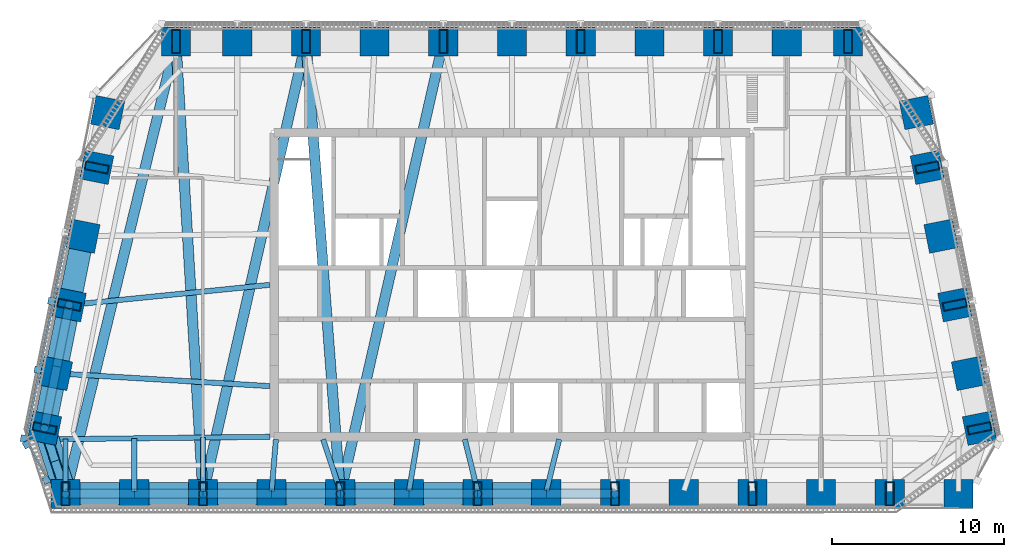
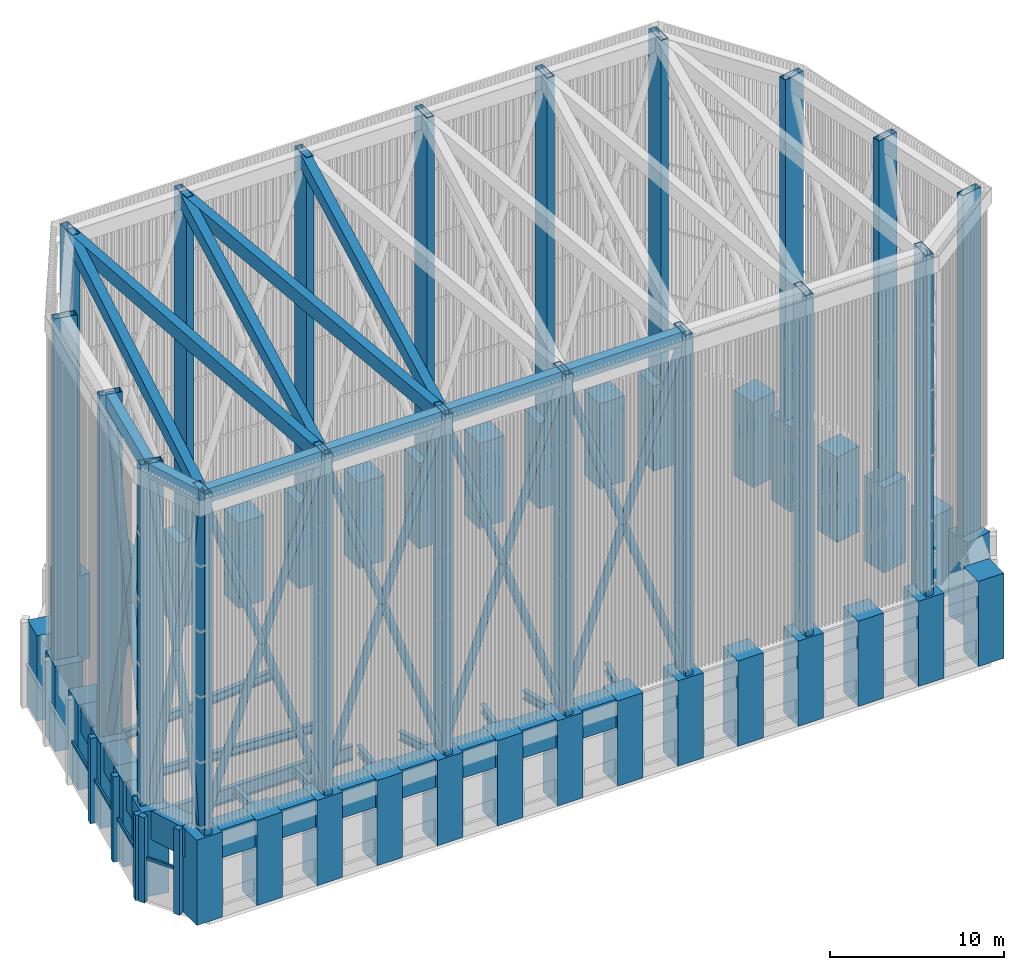
# One storey, part 1 of 15: 56 columns, 32 members, 22 beams, 2 elements without a shape of their own.
"""IFC4 building model written with IfcOpenShell, lengths in metres."""

from ifc_helpers import new_model, si_unit, direction, frame, origin, origin_2d, place, context, subcontext, project, spatial, rectangle, hollow_rectangle, hollow_circle, i_section, extrude, material, material_profile, profile_set, type_object, element, aggregate, save


model = new_model("IFC4")

# Units and contexts
model_context = context("Model", 3, precision=1e-05, world=origin(), true_north=direction((0.0, 1.0)))
body_context = subcontext(model_context, "Body", "Model", "MODEL_VIEW")
ifc_project = project(units=[si_unit("LENGTHUNIT", "METRE"), si_unit("AREAUNIT", "SQUARE_METRE"), si_unit("VOLUMEUNIT", "CUBIC_METRE"), si_unit("PLANEANGLEUNIT", "RADIAN"), si_unit("MASSUNIT", "GRAM", prefix="KILO")], contexts=[model_context])

# Site, building, storey
site_placement = place(None, origin())
site = spatial("IfcSite", under=ifc_project, at=site_placement, CompositionType="ELEMENT")
building_placement = place(site_placement, origin())
building = spatial("IfcBuilding", under=site, at=building_placement, Name="Isbrekke Arena Tower", CompositionType="ELEMENT")
storey_placement = place(building_placement, frame((0.0, 0.0, 324.0)))
storey = spatial("IfcBuildingStorey", under=building, at=storey_placement, Name="L76", CompositionType="ELEMENT", Elevation=324.0)

# Columns
ifc_material_1 = material(Name="Concrete B55 (C55/67)", Category="concrete")
ifc_material_profile_1 = material_profile(ifc_material_1, rectangle(XDim=1.699951171875, YDim=1.699951171875, at=origin_2d()), Name="RC 1700x1700")
ifc_profile_set_1 = profile_set([ifc_material_profile_1], Name="Concrete B55 (C55/67)")
column_type_1 = type_object("IfcColumnType", Name="C5 RC 1700 x 1700", PredefinedType="COLUMN", material=ifc_profile_set_1)
for number, where, z_axis, x_axis, name in (
    (1, (-26.0, 2.824951171875, 0.0), (0.0, 0.0, 1.0), (1.0, 0.0, 0.0), "C5 S01"),
    (2, (-22.0, 2.824951171875, 0.0), (0.0, 0.0, 1.0), (1.0, 0.0, 0.0), "C5 S02"),
    (3, (-18.0, 2.824951171875, 0.0), (0.0, 0.0, 1.0), (1.0, 0.0, 0.0), "C5 S03"),
    (4, (-14.0, 2.824951171875, 0.0), (0.0, 0.0, 1.0), (1.0, 0.0, 0.0), "C5 S04"),
    (5, (-10.0, 2.824951171875, 0.0), (0.0, 0.0, 1.0), (1.0, 0.0, 0.0), "C5 S05"),
    (6, (-6.0, 2.824951171875, 0.0), (0.0, 0.0, 1.0), (1.0, 0.0, 0.0), "C5 S06"),
    (7, (-2.0, 2.824951171875, 0.0), (0.0, 0.0, 1.0), (1.0, 0.0, 0.0), "C5 S07"),
    (8, (2.0, 2.824951171875, 0.0), (0.0, 0.0, 1.0), (1.0, 0.0, 0.0), "C5 S08"),
    (9, (6.0, 2.824951171875, 0.0), (0.0, 0.0, 1.0), (1.0, 0.0, 0.0), "C5 S09"),
    (10, (10.0, 2.824951171875, 0.0), (0.0, 0.0, 1.0), (1.0, 0.0, 0.0), "C5 S10"),
    (11, (14.0, 2.824951171875, 0.0), (0.0, 0.0, 1.0), (1.0, 0.0, 0.0), "C5 S11"),
    (12, (18.0, 2.824951171875, 0.0), (0.0, 0.0, 1.0), (1.0, 0.0, 0.0), "C5 S12"),
    (13, (22.0, 2.824951171875, 0.0), (0.0, 0.0, 1.0), (1.0, 0.0, 0.0), "C5 S13"),
    (14, (26.0, 2.824951171875, 0.0), (0.0, 0.0, 1.0), (1.0, 0.0, 0.0), "C5 S14"),
    (15, (27.229248046875, 6.647216796875, 0.0), (0.0, 0.0, 1.0), (-0.196116135138, 0.980580675691, 0.0), "C5 E01"),
    (16, (26.591064453125, 9.838134765625, 0.0), (0.0, 0.0, 1.0), (-0.196116135138, 0.980580675691, 0.0), "C5 E02"),
    (17, (25.791015625, 13.838134765625, 0.0), (0.0, 0.0, 1.0), (-0.196116135138, 0.980580675691, 0.0), "C5 E03"),
    (18, (24.990966796875, 17.838134765625, 0.0), (0.0, 0.0, 1.0), (-0.196116135138, 0.980580675691, 0.0), "C5 E04"),
    (19, (24.19091796875, 21.838134765625, 0.0), (0.0, 0.0, 1.0), (-0.196116135138, 0.980580675691, 0.0), "C5 E05"),
    (20, (23.552734375, 25.029296875, 0.0), (0.0, 0.0, 1.0), (-0.196116135138, 0.980580675691, 0.0), "C5 E06"),
    (21, (19.574951171875, 29.175048828125, 0.0), (0.0, 0.0, 1.0), (-1.0, 0.0, 0.0), "C5 N01"),
    (22, (16.0, 29.175048828125, 0.0), (0.0, 0.0, 1.0), (-1.0, 0.0, 0.0), "C5 N02"),
    (23, (12.0, 29.175048828125, 0.0), (0.0, 0.0, 1.0), (-1.0, 0.0, 0.0), "C5 N03"),
    (24, (8.0, 29.175048828125, 0.0), (0.0, 0.0, 1.0), (-1.0, 0.0, 0.0), "C5 N04"),
    (25, (4.0, 29.175048828125, 0.0), (0.0, 0.0, 1.0), (-1.0, 0.0, 0.0), "C5 N05"),
    (26, (0.0, 29.175048828125, 0.0), (0.0, 0.0, 1.0), (-1.0, 0.0, 0.0), "C5 N06"),
    (27, (-4.0, 29.175048828125, 0.0), (0.0, 0.0, 1.0), (-1.0, 0.0, 0.0), "C5 N07"),
    (28, (-8.0, 29.175048828125, 0.0), (0.0, 0.0, 1.0), (-1.0, 0.0, 0.0), "C5 N08"),
    (29, (-12.0, 29.175048828125, 0.0), (0.0, 0.0, 1.0), (-1.0, 0.0, 0.0), "C5 N09"),
    (30, (-16.0, 29.175048828125, 0.0), (0.0, 0.0, 1.0), (-1.0, 0.0, 0.0), "C5 N10"),
    (31, (-19.574951171875, 29.175048828125, 0.0), (0.0, 0.0, 1.0), (-1.0, 0.0, 0.0), "C5 N11"),
    (32, (-23.552734375, 25.029296875, 0.0), (0.0, 0.0, 1.0), (-0.196116135138, -0.980580675691, 0.0), "C5 W01"),
    (33, (-24.19091796875, 21.838134765625, 0.0), (0.0, 0.0, 1.0), (-0.196116135138, -0.980580675691, 0.0), "C5 W02"),
    (34, (-24.990966796875, 17.838134765625, 0.0), (0.0, 0.0, 1.0), (-0.196116135138, -0.980580675691, 0.0), "C5 W03"),
    (35, (-25.791015625, 13.838134765625, 0.0), (0.0, 0.0, 1.0), (-0.196116135138, -0.980580675691, 0.0), "C5 W04"),
    (36, (-26.591064453125, 9.838134765625, 0.0), (0.0, 0.0, 1.0), (-0.196116135138, -0.980580675691, 0.0), "C5 W05"),
    (37, (-27.229248046875, 6.647216796875, 0.0), (0.0, 0.0, 1.0), (-0.196116135138, -0.980580675691, 0.0), "C5 W06"),
):
    element("IfcColumn", number, at=place(storey_placement, frame(where, z_axis=z_axis, x_axis=x_axis)), inside=storey, type_object=column_type_1, Name=name, PredefinedType="COLUMN", context=body_context, shape_type="SweptSolid", body=[
        extrude(rectangle(XDim=1.699951171875, YDim=1.699951171875, at=origin_2d()), origin(), (0.0, 0.0, 1.0), 6.0),
    ])
ifc_material_2 = material(Name="Steel S355", Category="steel")
ifc_material_profile_2 = material_profile(ifc_material_2, hollow_rectangle(XDim=0.5, YDim=1.39990234375, WallThickness=0.0400390625, at=origin_2d()), Name="BOX 500x1400x40")
ifc_profile_set_2 = profile_set([ifc_material_profile_2], Name="Steel S355")
column_type_2 = type_object("IfcColumnType", Name="CF1 CROWN FRAME BLADE BOX 500x1400x40", PredefinedType="COLUMN", material=ifc_profile_set_2)
for number, where, z_axis, x_axis, name in (
    (38, (-26.0, 2.824951171875, 6.0), (0.0, 0.0, 1.0), (1.0, 0.0, 0.0), "CF1 crown frame blade S01"),
    (39, (-18.0, 2.824951171875, 6.0), (0.0, 0.0, 1.0), (1.0, 0.0, 0.0), "CF1 crown frame blade S03"),
    (40, (-10.0, 2.824951171875, 6.0), (0.0, 0.0, 1.0), (1.0, 0.0, 0.0), "CF1 crown frame blade S05"),
    (41, (-2.0, 2.824951171875, 6.0), (0.0, 0.0, 1.0), (1.0, 0.0, 0.0), "CF1 crown frame blade S07"),
    (42, (6.0, 2.824951171875, 6.0), (0.0, 0.0, 1.0), (1.0, 0.0, 0.0), "CF1 crown frame blade S09"),
    (43, (14.0, 2.824951171875, 6.0), (0.0, 0.0, 1.0), (1.0, 0.0, 0.0), "CF1 crown frame blade S11"),
    (44, (22.0, 2.824951171875, 6.0), (0.0, 0.0, 1.0), (1.0, 0.0, 0.0), "CF1 crown frame blade S13"),
    (45, (27.229248046875, 6.647216796875, 6.0), (0.0, 0.0, 1.0), (-0.196116135138, 0.980580675691, 0.0), "CF1 crown frame blade E01"),
    (46, (25.791015625, 13.838134765625, 6.0), (0.0, 0.0, 1.0), (-0.196116135138, 0.980580675691, 0.0), "CF1 crown frame blade E03"),
    (47, (24.19091796875, 21.838134765625, 6.0), (0.0, 0.0, 1.0), (-0.196116135138, 0.980580675691, 0.0), "CF1 crown frame blade E05"),
    (48, (19.574951171875, 29.175048828125, 6.0), (0.0, 0.0, 1.0), (-1.0, 0.0, 0.0), "CF1 crown frame blade N01"),
    (49, (12.0, 29.175048828125, 6.0), (0.0, 0.0, 1.0), (-1.0, 0.0, 0.0), "CF1 crown frame blade N03"),
    (50, (4.0, 29.175048828125, 6.0), (0.0, 0.0, 1.0), (-1.0, 0.0, 0.0), "CF1 crown frame blade N05"),
    (51, (-4.0, 29.175048828125, 6.0), (0.0, 0.0, 1.0), (-1.0, 0.0, 0.0), "CF1 crown frame blade N07"),
    (52, (-12.0, 29.175048828125, 6.0), (0.0, 0.0, 1.0), (-1.0, 0.0, 0.0), "CF1 crown frame blade N09"),
    (53, (-19.574951171875, 29.175048828125, 6.0), (0.0, 0.0, 1.0), (-1.0, 0.0, 0.0), "CF1 crown frame blade N11"),
    (54, (-24.19091796875, 21.838134765625, 6.0), (0.0, 0.0, 1.0), (-0.196116135138, -0.980580675691, 0.0), "CF1 crown frame blade W02"),
    (55, (-25.791015625, 13.838134765625, 6.0), (0.0, 0.0, 1.0), (-0.196116135138, -0.980580675691, 0.0), "CF1 crown frame blade W04"),
    (56, (-27.229248046875, 6.647216796875, 6.0), (0.0, 0.0, 1.0), (-0.196116135138, -0.980580675691, 0.0), "CF1 crown frame blade W06"),
):
    element("IfcColumn", number, at=place(storey_placement, frame(where, z_axis=z_axis, x_axis=x_axis)), inside=storey, type_object=column_type_2, Name=name, PredefinedType="COLUMN", context=body_context, shape_type="SweptSolid", body=[
        extrude(hollow_rectangle(XDim=0.5, YDim=1.39990234375, WallThickness=0.0400390625, at=origin_2d()), origin(), (0.0, 0.0, 1.0), 24.0),
    ])

# Beams
ifc_material_3 = material(Name="Steel S355", Category="steel")
ifc_material_profile_3 = material_profile(ifc_material_3, i_section(OverallWidth=0.304931640625, OverallDepth=0.6201171875, WebThickness=0.02099609375, FlangeThickness=0.0400390625, FilletRadius=0.027099609375, at=origin_2d()), Name="HEM 600")
ifc_profile_set_3 = profile_set([ifc_material_profile_3], Name="Steel S355")
beam_type_1 = type_object("IfcBeamType", Name="B4 HEM 600", PredefinedType="BEAM", material=ifc_profile_set_3)
beam_1_placement = place(storey_placement, frame((-26.0, 2.97509765625, 5.43994140625), z_axis=(0.0, 1.0, 0.0), x_axis=(-1.0, 0.0, 0.0)))
element("IfcBeam", 57, at=beam_1_placement, inside=storey, type_object=beam_type_1, Name="B4 beam C-S01 L76", PredefinedType="BEAM", context=body_context, shape_type="SweptSolid", body=[
    extrude(i_section(OverallWidth=0.304931640625, OverallDepth=0.6201171875, WebThickness=0.02099609375, FlangeThickness=0.0400390625, FilletRadius=0.027099609375, at=origin_2d()), origin(), (0.0, 0.0, 1.0), 3.0390625),
])
beam_2_placement = place(storey_placement, frame((-22.0, 2.97509765625, 5.43994140625), z_axis=(0.0, 1.0, 0.0), x_axis=(-1.0, 0.0, 0.0)))
element("IfcBeam", 58, at=beam_2_placement, inside=storey, type_object=beam_type_1, Name="B4 beam C-S02 L76", PredefinedType="BEAM", context=body_context, shape_type="SweptSolid", body=[
    extrude(i_section(OverallWidth=0.304931640625, OverallDepth=0.6201171875, WebThickness=0.02099609375, FlangeThickness=0.0400390625, FilletRadius=0.027099609375, at=origin_2d()), origin(), (0.0, 0.0, 1.0), 3.084716796875),
])
beam_3_placement = place(storey_placement, frame((-18.0, 2.97509765625, 5.43994140625), z_axis=(0.0, 1.0, 0.0), x_axis=(-1.0, 0.0, 0.0)))
element("IfcBeam", 59, at=beam_3_placement, inside=storey, type_object=beam_type_1, Name="B4 beam C-S03 L76", PredefinedType="BEAM", context=body_context, shape_type="SweptSolid", body=[
    extrude(i_section(OverallWidth=0.304931640625, OverallDepth=0.6201171875, WebThickness=0.02099609375, FlangeThickness=0.0400390625, FilletRadius=0.027099609375, at=origin_2d()), origin(), (0.0, 0.0, 1.0), 3.13037109375),
])
beam_4_placement = place(storey_placement, frame((-13.9990234375, 2.987548828125, 5.43994140625), z_axis=(0.082383718089, 0.996600683822, 0.0), x_axis=(-0.996600683822, 0.082383718089, 0.0)))
element("IfcBeam", 60, at=beam_4_placement, inside=storey, type_object=beam_type_1, Name="B4 beam C-S04 L76", PredefinedType="BEAM", context=body_context, shape_type="SweptSolid", body=[
    extrude(i_section(OverallWidth=0.304931640625, OverallDepth=0.6201171875, WebThickness=0.02099609375, FlangeThickness=0.0400390625, FilletRadius=0.027099609375, at=origin_2d()), origin(), (0.0, 0.0, 1.0), 3.022705078125),
])
beam_5_placement = place(storey_placement, frame((-10.01513671875, 3.0205078125, 5.43994140625), z_axis=(-0.313846083605, 0.949473873156, 0.0), x_axis=(-0.949473873156, -0.313846083605, 0.0)))
element("IfcBeam", 61, at=beam_5_placement, inside=storey, type_object=beam_type_1, Name="B4 beam C-S05 L76", PredefinedType="BEAM", context=body_context, shape_type="SweptSolid", body=[
    extrude(i_section(OverallWidth=0.304931640625, OverallDepth=0.6201171875, WebThickness=0.02099609375, FlangeThickness=0.0400390625, FilletRadius=0.027099609375, at=origin_2d()), origin(), (0.0, 0.0, 1.0), 3.137939453125),
])
beam_6_placement = place(storey_placement, frame((-5.995849609375, 2.99951171875, 5.43994140625), z_axis=(0.163044952053, 0.986618641426, 0.0), x_axis=(-0.986618641426, 0.163044952053, 0.0)))
element("IfcBeam", 62, at=beam_6_placement, inside=storey, type_object=beam_type_1, Name="B4 beam C-S06 L76", PredefinedType="BEAM", context=body_context, shape_type="SweptSolid", body=[
    extrude(i_section(OverallWidth=0.304931640625, OverallDepth=0.6201171875, WebThickness=0.02099609375, FlangeThickness=0.0400390625, FilletRadius=0.027099609375, at=origin_2d()), origin(), (0.0, 0.0, 1.0), 3.041259765625),
])
for number, where, z_axis, x_axis, name in (
    (63, (-2.0087890625, 3.0107421875, 5.43994140625), (-0.240669951999, 0.970607013268, 0.0), (-0.970607013268, -0.240669951999, 0.0), "B4 beam C-S07 L76"),
    (64, (2.0087890625, 3.0107421875, 5.43994140625), (0.240669951999, 0.970607013268, 0.0), (-0.970607013268, 0.240669951999, 0.0), "B4 beam C-S08 L76"),
):
    element("IfcBeam", number, at=place(storey_placement, frame(where, z_axis=z_axis, x_axis=x_axis)), inside=storey, type_object=beam_type_1, Name=name, PredefinedType="BEAM", context=body_context, shape_type="SweptSolid", body=[
        extrude(i_section(OverallWidth=0.304931640625, OverallDepth=0.6201171875, WebThickness=0.02099609375, FlangeThickness=0.0400390625, FilletRadius=0.027099609375, at=origin_2d()), origin(), (0.0, 0.0, 1.0), 3.079833984375),
    ])
beam_7_placement = place(storey_placement, frame((-25.625732421875, 13.83984375, 5.43994140625), z_axis=(0.994972081505, 0.100152668587, 0.0), x_axis=(-0.100152668587, 0.994972081505, 0.0)))
element("IfcBeam", 65, at=beam_7_placement, inside=storey, type_object=beam_type_1, Name="B4 beam E-W04 L76", PredefinedType="BEAM", context=body_context, shape_type="SweptSolid", body=[
    extrude(i_section(OverallWidth=0.304931640625, OverallDepth=0.6201171875, WebThickness=0.02099609375, FlangeThickness=0.0400390625, FilletRadius=0.027099609375, at=origin_2d()), origin(), (0.0, 0.0, 1.0), 11.583984375),
])
beam_8_placement = place(storey_placement, frame((-26.431884765625, 9.837646484375, 5.43994140625), z_axis=(0.998216240514, -0.059702070095, 0.0), x_axis=(0.059702070095, 0.998216240514, 0.0)))
element("IfcBeam", 66, at=beam_8_placement, inside=storey, type_object=beam_type_1, Name="B4 beam E-W05 L76", PredefinedType="BEAM", context=body_context, shape_type="SweptSolid", body=[
    extrude(i_section(OverallWidth=0.304931640625, OverallDepth=0.6201171875, WebThickness=0.02099609375, FlangeThickness=0.0400390625, FilletRadius=0.027099609375, at=origin_2d()), origin(), (0.0, 0.0, 1.0), 12.353759765625),
])

# Members
ifc_material_4 = material(Name="Steel S355", Category="steel")
ifc_material_profile_4 = material_profile(ifc_material_4, hollow_rectangle(XDim=0.60009765625, YDim=1.0, WallThickness=0.030029296875, at=origin_2d()), Name="BOX 600x1000x30")
ifc_profile_set_4 = profile_set([ifc_material_profile_4], Name="Steel S355")
member_type_1 = type_object("IfcMemberType", Name="CF2 CROWN FRAME CAP RING BOX 600x1000x30", PredefinedType="USERDEFINED", material=ifc_profile_set_4)
for number, where, z_axis, x_axis, name in (
    (67, (-26.0, 2.824951171875, 29.5), (1.0, 0.0, 0.0), (0.0, 1.0, 0.0), "CF2 crown frame cap ring S01"),
    (68, (-18.0, 2.824951171875, 29.5), (1.0, 0.0, 0.0), (0.0, 1.0, 0.0), "CF2 crown frame cap ring S03"),
    (69, (-10.0, 2.824951171875, 29.5), (1.0, 0.0, 0.0), (0.0, 1.0, 0.0), "CF2 crown frame cap ring S05"),
    (70, (-2.0, 2.824951171875, 29.5), (1.0, 0.0, 0.0), (0.0, 1.0, 0.0), "CF2 crown frame cap ring S07"),
):
    element("IfcMember", number, at=place(storey_placement, frame(where, z_axis=z_axis, x_axis=x_axis)), inside=storey, type_object=member_type_1, Name=name, ObjectType="CROWN FRAME CAP RING", PredefinedType="USERDEFINED", context=body_context, shape_type="SweptSolid", body=[
        extrude(hollow_rectangle(XDim=0.60009765625, YDim=1.0, WallThickness=0.030029296875, at=origin_2d()), origin(), (0.0, 0.0, 1.0), 8.0),
    ])
member_1_placement = place(storey_placement, frame((-25.791015625, 13.838134765625, 29.5), z_axis=(-0.196122537421, -0.980579395213, 0.0), x_axis=(0.980579395213, -0.196122537421, 0.0)))
element("IfcMember", 71, at=member_1_placement, inside=storey, type_object=member_type_1, Name="CF2 crown frame cap ring W04", ObjectType="CROWN FRAME CAP RING", PredefinedType="USERDEFINED", context=body_context, shape_type="SweptSolid", body=[
    extrude(hollow_rectangle(XDim=0.60009765625, YDim=1.0, WallThickness=0.030029296875, at=origin_2d()), origin(), (0.0, 0.0, 1.0), 7.333251953125),
])
member_2_placement = place(storey_placement, frame((-27.229248046875, 6.647216796875, 29.5), z_axis=(0.306158766697, -0.951980467013, 0.0), x_axis=(0.951980467013, 0.306158766697, 0.0)))
element("IfcMember", 72, at=member_2_placement, inside=storey, type_object=member_type_1, Name="CF2 crown frame cap ring W06", ObjectType="CROWN FRAME CAP RING", PredefinedType="USERDEFINED", context=body_context, shape_type="SweptSolid", body=[
    extrude(hollow_rectangle(XDim=0.60009765625, YDim=1.0, WallThickness=0.030029296875, at=origin_2d()), origin(), (0.0, 0.0, 1.0), 4.01513671875),
])
ifc_material_5 = material(Name="Steel S355", Category="steel")
ifc_material_profile_5 = material_profile(ifc_material_5, hollow_circle(Radius=0.25390625, WallThickness=0.02001953125, at=origin_2d()), Name="CHS 508x20")
ifc_profile_set_5 = profile_set([ifc_material_profile_5], Name="Steel S355")
member_type_2 = type_object("IfcMemberType", Name="CF3 CROWN FRAME BRACE CHS 508x20", PredefinedType="BRACE", material=ifc_profile_set_5)
for number, where, z_axis, x_axis, name in (
    (73, (-26.0, 2.824951171875, 6.0), (0.322263797804, 0.0, 0.94664990605), (0.0, 1.0, 0.0), "CF3 crown frame brace S01 1"),
    (74, (-18.0, 2.824951171875, 6.0), (-0.322263797804, 0.0, 0.94664990605), (0.0, -1.0, 0.0), "CF3 crown frame brace S01 2"),
    (75, (-18.0, 2.824951171875, 6.0), (0.322263797804, 0.0, 0.94664990605), (0.0, 1.0, 0.0), "CF3 crown frame brace S03 1"),
    (76, (-10.0, 2.824951171875, 6.0), (-0.322263797804, 0.0, 0.94664990605), (0.0, -1.0, 0.0), "CF3 crown frame brace S03 2"),
    (77, (-10.0, 2.824951171875, 6.0), (0.322263797804, 0.0, 0.94664990605), (0.0, 1.0, 0.0), "CF3 crown frame brace S05 1"),
    (78, (-2.0, 2.824951171875, 6.0), (-0.322263797804, 0.0, 0.94664990605), (0.0, -1.0, 0.0), "CF3 crown frame brace S05 2"),
    (79, (-2.0, 2.824951171875, 6.0), (0.322263797804, 0.0, 0.94664990605), (0.0, 1.0, 0.0), "CF3 crown frame brace S07 1"),
    (80, (6.0, 2.824951171875, 6.0), (-0.322263797804, 0.0, 0.94664990605), (0.0, -1.0, 0.0), "CF3 crown frame brace S07 2"),
):
    element("IfcMember", number, at=place(storey_placement, frame(where, z_axis=z_axis, x_axis=x_axis)), inside=storey, type_object=member_type_2, Name=name, PredefinedType="BRACE", context=body_context, shape_type="SweptSolid", body=[
        extrude(hollow_circle(Radius=0.25390625, WallThickness=0.02001953125, at=origin_2d()), origin(), (0.0, 0.0, 1.0), 24.824462890625),
    ])
for number, where, z_axis, x_axis, name in (
    (81, (-25.791015625, 13.838134765625, 6.0), (-0.058422857725, -0.292104371316, 0.954600338337), (0.980579395213, -0.196122537421, 0.0), "CF3 crown frame brace W04 1"),
    (82, (-27.229248046875, 6.647216796875, 6.0), (0.058422857725, 0.292104371316, 0.954600338337), (-0.980579395213, 0.196122537421, 0.0), "CF3 crown frame brace W04 2"),
):
    element("IfcMember", number, at=place(storey_placement, frame(where, z_axis=z_axis, x_axis=x_axis)), inside=storey, type_object=member_type_2, Name=name, PredefinedType="BRACE", context=body_context, shape_type="SweptSolid", body=[
        extrude(hollow_circle(Radius=0.25390625, WallThickness=0.02001953125, at=origin_2d()), origin(), (0.0, 0.0, 1.0), 24.61767578125),
    ])
for number, where, z_axis, x_axis, name in (
    (83, (-27.229248046875, 6.647216796875, 6.0), (0.051561276568, -0.160326384499, 0.985716432445), (0.951980467013, 0.306158766697, 0.0), "CF3 crown frame brace W06 1"),
    (84, (-26.0, 2.824951171875, 6.0), (-0.051561276568, 0.160326384499, 0.985716432445), (-0.951980467013, -0.306158766697, 0.0), "CF3 crown frame brace W06 2"),
):
    element("IfcMember", number, at=place(storey_placement, frame(where, z_axis=z_axis, x_axis=x_axis)), inside=storey, type_object=member_type_2, Name=name, PredefinedType="BRACE", context=body_context, shape_type="SweptSolid", body=[
        extrude(hollow_circle(Radius=0.25390625, WallThickness=0.02001953125, at=origin_2d()), origin(), (0.0, 0.0, 1.0), 23.840576171875),
    ])
ifc_material_6 = material(Name="Steel S355", Category="steel")
ifc_material_profile_6 = material_profile(ifc_material_6, hollow_rectangle(XDim=0.60009765625, YDim=1.0, WallThickness=0.030029296875, at=origin_2d()), Name="BOX 600x1000x30")
ifc_profile_set_6 = profile_set([ifc_material_profile_6], Name="Steel S355")
member_type_3 = type_object("IfcMemberType", Name="CF4 CROWN FRAME PLAN BRACE BOX 600x1000x30", PredefinedType="BRACE", material=ifc_profile_set_6)
member_3_placement = place(storey_placement, frame((-26.0, 2.824951171875, 29.5), z_axis=(0.236893391337, 0.971535650988, 0.0), x_axis=(-0.971535650988, 0.236893391337, 0.0)))
element("IfcMember", 85, at=member_3_placement, inside=storey, type_object=member_type_3, Name="CF4 crown frame plan brace S01 2", PredefinedType="BRACE", context=body_context, shape_type="SweptSolid", body=[
    extrude(hollow_rectangle(XDim=0.60009765625, YDim=1.0, WallThickness=0.030029296875, at=origin_2d()), origin(), (0.0, 0.0, 1.0), 27.1220703125),
])
member_4_placement = place(storey_placement, frame((-18.0, 2.824951171875, 29.5), z_axis=(-0.059663742708, 0.998218532089, 0.0), x_axis=(-0.998218532089, -0.059663742708, 0.0)))
element("IfcMember", 86, at=member_4_placement, inside=storey, type_object=member_type_3, Name="CF4 crown frame plan brace S03 1", PredefinedType="BRACE", context=body_context, shape_type="SweptSolid", body=[
    extrude(hollow_rectangle(XDim=0.60009765625, YDim=1.0, WallThickness=0.030029296875, at=origin_2d()), origin(), (0.0, 0.0, 1.0), 26.397216796875),
])
member_5_placement = place(storey_placement, frame((-18.0, 2.824951171875, 29.5), z_axis=(0.222020143908, 0.975042078938, 0.0), x_axis=(-0.975042078938, 0.222020143908, 0.0)))
element("IfcMember", 87, at=member_5_placement, inside=storey, type_object=member_type_3, Name="CF4 crown frame plan brace S03 2", PredefinedType="BRACE", context=body_context, shape_type="SweptSolid", body=[
    extrude(hollow_rectangle(XDim=0.60009765625, YDim=1.0, WallThickness=0.030029296875, at=origin_2d()), origin(), (0.0, 0.0, 1.0), 27.024658203125),
])
member_6_placement = place(storey_placement, frame((-10.0, 2.824951171875, 29.5), z_axis=(-0.075683355324, 0.99713190187, 0.0), x_axis=(-0.99713190187, -0.075683355324, 0.0)))
element("IfcMember", 88, at=member_6_placement, inside=storey, type_object=member_type_3, Name="CF4 crown frame plan brace S05 1", PredefinedType="BRACE", context=body_context, shape_type="SweptSolid", body=[
    extrude(hollow_rectangle(XDim=0.60009765625, YDim=1.0, WallThickness=0.030029296875, at=origin_2d()), origin(), (0.0, 0.0, 1.0), 26.42578125),
])
member_7_placement = place(storey_placement, frame((-10.0, 2.824951171875, 29.5), z_axis=(0.222020143908, 0.975042078938, 0.0), x_axis=(-0.975042078938, 0.222020143908, 0.0)))
element("IfcMember", 89, at=member_7_placement, inside=storey, type_object=member_type_3, Name="CF4 crown frame plan brace S05 2", PredefinedType="BRACE", context=body_context, shape_type="SweptSolid", body=[
    extrude(hollow_rectangle(XDim=0.60009765625, YDim=1.0, WallThickness=0.030029296875, at=origin_2d()), origin(), (0.0, 0.0, 1.0), 27.024658203125),
])

# Curtain wall, members
ifc_material_7 = material(Name="Glazed aluminium curtain wall", Category="aluminium")
curtain_wall_type = type_object("IfcCurtainWallType", Name="CWR PLANT LOUVRE WALL", PredefinedType="USERDEFINED", material=ifc_material_7)
curtain_wall_1_placement = place(storey_placement, origin())
curtain_wall_1 = element("IfcCurtainWall", 90, at=curtain_wall_1_placement, inside=storey, type_object=curtain_wall_type, Name="CWR curtain wall L76-W", ObjectType="PLANT LOUVRE WALL", PredefinedType="USERDEFINED")
ifc_material_8 = material(Name="Aluminium mullion, pale brick slip cladding", Category="masonry")
ifc_material_profile_7 = material_profile(ifc_material_8, rectangle(XDim=0.39990234375, YDim=0.39990234375, at=origin_2d()), Name="PIER 400X400")
ifc_profile_set_7 = profile_set([ifc_material_profile_7], Name="Aluminium mullion, pale brick slip cladding")
member_type_4 = type_object("IfcMemberType", Name="CWR-M PIER MULLION 400 x 400", PredefinedType="MULLION", material=ifc_profile_set_7)
member_8_placement = place(storey_placement, frame((-26.820556640625, 14.044189453125, 0.0), z_axis=(0.0, 0.0, 1.0), x_axis=(-0.196116135138, -0.980580675691, 0.0)))
member_8 = element("IfcMember", 91, at=member_8_placement, type_object=member_type_4, Name="CWR-M mullion 4", PredefinedType="MULLION", context=body_context, shape_type="SweptSolid", body=[
    extrude(rectangle(XDim=0.39990234375, YDim=0.39990234375, at=origin_2d()), origin(), (0.0, 0.0, 1.0), 6.0),
])
member_9_placement = place(storey_placement, frame((-27.62060546875, 10.044189453125, 0.0), z_axis=(0.0, 0.0, 1.0), x_axis=(-0.196116135138, -0.980580675691, 0.0)))
member_9 = element("IfcMember", 92, at=member_9_placement, type_object=member_type_4, Name="CWR-M mullion 5", PredefinedType="MULLION", context=body_context, shape_type="SweptSolid", body=[
    extrude(rectangle(XDim=0.39990234375, YDim=0.39990234375, at=origin_2d()), origin(), (0.0, 0.0, 1.0), 6.0),
])
member_10_placement = place(storey_placement, frame((-28.420654296875, 6.044189453125, 0.0), z_axis=(0.0, 0.0, 1.0), x_axis=(-0.196116135138, -0.980580675691, 0.0)))
member_10 = element("IfcMember", 93, at=member_10_placement, type_object=member_type_4, Name="CWR-M mullion 6", PredefinedType="MULLION", context=body_context, shape_type="SweptSolid", body=[
    extrude(rectangle(XDim=0.39990234375, YDim=0.39990234375, at=origin_2d()), origin(), (0.0, 0.0, 1.0), 6.0),
])

curtain_wall_2_placement = place(storey_placement, origin())
curtain_wall_2 = element("IfcCurtainWall", 94, at=curtain_wall_2_placement, inside=storey, type_object=curtain_wall_type, Name="CWR curtain wall L76-WS", ObjectType="PLANT LOUVRE WALL", PredefinedType="USERDEFINED")
member_11_placement = place(storey_placement, frame((-28.2646484375, 5.70263671875, 0.0), z_axis=(0.0, 0.0, 1.0), x_axis=(0.481918749773, -0.876215908676, 0.0)))
member_11 = element("IfcMember", 95, at=member_11_placement, type_object=member_type_4, Name="CWR-M mullion 1", PredefinedType="MULLION", context=body_context, shape_type="SweptSolid", body=[
    extrude(rectangle(XDim=0.39990234375, YDim=0.39990234375, at=origin_2d()), origin(), (0.0, 0.0, 1.0), 6.0),
])
member_12_placement = place(storey_placement, frame((-27.11865234375, 3.618896484375, 0.0), z_axis=(0.0, 0.0, 1.0), x_axis=(0.481918749773, -0.876215908676, 0.0)))
member_12 = element("IfcMember", 96, at=member_12_placement, type_object=member_type_4, Name="CWR-M mullion 2", PredefinedType="MULLION", context=body_context, shape_type="SweptSolid", body=[
    extrude(rectangle(XDim=0.39990234375, YDim=0.39990234375, at=origin_2d()), origin(), (0.0, 0.0, 1.0), 6.0),
])

# Member
ifc_material_9 = material(Name="Aluminium transom", Category="aluminium")
ifc_material_profile_8 = material_profile(ifc_material_9, rectangle(XDim=0.1201171875, YDim=0.199951171875, at=origin_2d()), Name="TRANSOM 120X200")
ifc_profile_set_8 = profile_set([ifc_material_profile_8], Name="Aluminium transom")
member_type_5 = type_object("IfcMemberType", Name="CWR-T TRANSOM 120 x 200", PredefinedType="USERDEFINED", material=ifc_profile_set_8)
member_13_placement = place(storey_placement, frame((-25.9619140625, 17.828369140625, 3.0), z_axis=(-0.19609061241, -0.980585779891, 0.0), x_axis=(0.980585779891, -0.19609061241, 0.0)))
member_13 = element("IfcMember", 97, at=member_13_placement, type_object=member_type_5, Name="CWR-T transom 3", ObjectType="TRANSOM", PredefinedType="USERDEFINED", context=body_context, shape_type="SweptSolid", body=[
    extrude(rectangle(XDim=0.1201171875, YDim=0.199951171875, at=origin_2d()), origin(), (0.0, 0.0, 1.0), 3.67919921875),
])

member_14_placement = place(storey_placement, frame((-26.76171875, 13.828369140625, 3.0), z_axis=(-0.196154418484, -0.980573018245, 0.0), x_axis=(0.980573018245, -0.196154418484, 0.0)))
member_14 = element("IfcMember", 98, at=member_14_placement, type_object=member_type_5, Name="CWR-T transom 4", ObjectType="TRANSOM", PredefinedType="USERDEFINED", context=body_context, shape_type="SweptSolid", body=[
    extrude(rectangle(XDim=0.1201171875, YDim=0.199951171875, at=origin_2d()), origin(), (0.0, 0.0, 1.0), 3.67919921875),
])

member_15_placement = place(storey_placement, frame((-27.561767578125, 9.828369140625, 3.0), z_axis=(-0.196154418484, -0.980573018245, 0.0), x_axis=(0.980573018245, -0.196154418484, 0.0)))
member_15 = element("IfcMember", 99, at=member_15_placement, type_object=member_type_5, Name="CWR-T transom 5", ObjectType="TRANSOM", PredefinedType="USERDEFINED", context=body_context, shape_type="SweptSolid", body=[
    extrude(rectangle(XDim=0.1201171875, YDim=0.199951171875, at=origin_2d()), origin(), (0.0, 0.0, 1.0), 3.67919921875),
])

aggregate(curtain_wall_1, [member_8, member_9, member_10, member_13, member_14, member_15])

member_16_placement = place(storey_placement, frame((-28.080810546875, 5.57568359375, 3.0), z_axis=(0.481918749772, -0.876215908677, 0.0), x_axis=(0.876215908677, 0.481918749772, 0.0)))
member_16 = element("IfcMember", 100, at=member_16_placement, type_object=member_type_5, Name="CWR-T transom 1", ObjectType="TRANSOM", PredefinedType="USERDEFINED", context=body_context, shape_type="SweptSolid", body=[
    extrude(rectangle(XDim=0.1201171875, YDim=0.199951171875, at=origin_2d()), origin(), (0.0, 0.0, 1.0), 1.978271484375),
])

aggregate(curtain_wall_2, [member_11, member_12, member_16])

# Beams
ifc_material_10 = material(Name="Steel S355", Category="steel")
ifc_material_profile_9 = material_profile(ifc_material_10, i_section(OverallWidth=0.302001953125, OverallDepth=1.008056640625, WebThickness=0.02099609375, FlangeThickness=0.0400390625, FilletRadius=0.030029296875, at=origin_2d()), Name="HEM 1000")
ifc_profile_set_9 = profile_set([ifc_material_profile_9], Name="Steel S355")
beam_type_2 = type_object("IfcBeamType", Name="G2 HEM 1000", PredefinedType="BEAM", material=ifc_profile_set_9)
beam_9_placement = place(storey_placement, frame((-14.10009765625, 6.14990234375, 5.24609375), z_axis=(-0.999934809516, -0.011418262471, 0.0), x_axis=(0.011418262471, -0.999934809516, 0.0)))
element("IfcBeam", 101, at=beam_9_placement, inside=storey, type_object=beam_type_2, Name="G2 beam G2-W L76", PredefinedType="BEAM", context=body_context, shape_type="SweptSolid", body=[
    extrude(i_section(OverallWidth=0.302001953125, OverallDepth=1.008056640625, WebThickness=0.02099609375, FlangeThickness=0.0400390625, FilletRadius=0.030029296875, at=origin_2d()), origin(), (0.0, 0.0, 1.0), 13.12841796875),
])
ifc_material_11 = material(Name="Concrete B55 (C55/67)", Category="concrete")
ifc_material_profile_10 = material_profile(ifc_material_11, rectangle(XDim=1.300048828125, YDim=2.0, at=origin_2d()), Name="RC 1300x2000")
ifc_profile_set_10 = profile_set([ifc_material_profile_10], Name="Concrete B55 (C55/67)")
beam_type_3 = type_object("IfcBeamType", Name="SB4 RC 1300 x 2000", PredefinedType="SPANDREL", material=ifc_profile_set_10)
for number, where, z_axis, x_axis, name in (
    (102, (-25.85009765625, 2.824951171875, 5.0), (1.0, 0.0, 0.0), (0.0, 1.0, 0.0), "SB4 spandrel S01-S02 L76"),
    (103, (-21.85009765625, 2.824951171875, 5.0), (1.0, 0.0, 0.0), (0.0, 1.0, 0.0), "SB4 spandrel S02-S03 L76"),
    (104, (-17.85009765625, 2.824951171875, 5.0), (1.0, 0.0, 0.0), (0.0, 1.0, 0.0), "SB4 spandrel S03-S04 L76"),
    (105, (-13.85009765625, 2.824951171875, 5.0), (1.0, 0.0, 0.0), (0.0, 1.0, 0.0), "SB4 spandrel S04-S05 L76"),
    (106, (-9.85009765625, 2.824951171875, 5.0), (1.0, 0.0, 0.0), (0.0, 1.0, 0.0), "SB4 spandrel S05-S06 L76"),
    (107, (-5.85009765625, 2.824951171875, 5.0), (1.0, 0.0, 0.0), (0.0, 1.0, 0.0), "SB4 spandrel S06-S07 L76"),
    (108, (-1.85009765625, 2.824951171875, 5.0), (1.0, 0.0, 0.0), (0.0, 1.0, 0.0), "SB4 spandrel S07-S08 L76"),
):
    element("IfcBeam", number, at=place(storey_placement, frame(where, z_axis=z_axis, x_axis=x_axis)), inside=storey, type_object=beam_type_3, Name=name, PredefinedType="SPANDREL", context=body_context, shape_type="SweptSolid", body=[
        extrude(rectangle(XDim=1.300048828125, YDim=2.0, at=origin_2d()), origin(), (0.0, 0.0, 1.0), 3.7001953125),
    ])
beam_10_placement = place(storey_placement, frame((-25.0205078125, 17.691162109375, 5.0), z_axis=(-0.196128558387, -0.980578190959, 0.0), x_axis=(0.980578190959, -0.196128558387, 0.0)))
element("IfcBeam", 109, at=beam_10_placement, inside=storey, type_object=beam_type_3, Name="SB4 spandrel W03-W04 L76", PredefinedType="SPANDREL", context=body_context, shape_type="SweptSolid", body=[
    extrude(rectangle(XDim=1.300048828125, YDim=2.0, at=origin_2d()), origin(), (0.0, 0.0, 1.0), 3.779296875),
])
beam_11_placement = place(storey_placement, frame((-25.820556640625, 13.691162109375, 5.0), z_axis=(-0.1960664412, -0.980590613169, 0.0), x_axis=(0.980590613169, -0.1960664412, 0.0)))
element("IfcBeam", 110, at=beam_11_placement, inside=storey, type_object=beam_type_3, Name="SB4 spandrel W04-W05 L76", PredefinedType="SPANDREL", context=body_context, shape_type="SweptSolid", body=[
    extrude(rectangle(XDim=1.300048828125, YDim=2.0, at=origin_2d()), origin(), (0.0, 0.0, 1.0), 3.779052734375),
])
beam_12_placement = place(storey_placement, frame((-26.620361328125, 9.691162109375, 5.0), z_axis=(-0.196100243168, -0.980583853951, 0.0), x_axis=(0.980583853951, -0.196100243168, 0.0)))
element("IfcBeam", 111, at=beam_12_placement, inside=storey, type_object=beam_type_3, Name="SB4 spandrel W05-W06 L76", PredefinedType="SPANDREL", context=body_context, shape_type="SweptSolid", body=[
    extrude(rectangle(XDim=1.300048828125, YDim=2.0, at=origin_2d()), origin(), (0.0, 0.0, 1.0), 2.954345703125),
])
beam_13_placement = place(storey_placement, frame((-27.183349609375, 6.50439453125, 5.0), z_axis=(0.306175101476, -0.951975213562, 0.0), x_axis=(0.951975213562, 0.306175101476, 0.0)))
element("IfcBeam", 112, at=beam_13_placement, inside=storey, type_object=beam_type_3, Name="SB4 spandrel W06-S01 L76", PredefinedType="SPANDREL", context=body_context, shape_type="SweptSolid", body=[
    extrude(rectangle(XDim=1.300048828125, YDim=2.0, at=origin_2d()), origin(), (0.0, 0.0, 1.0), 3.715087890625),
])

save(model, "model.ifc")
